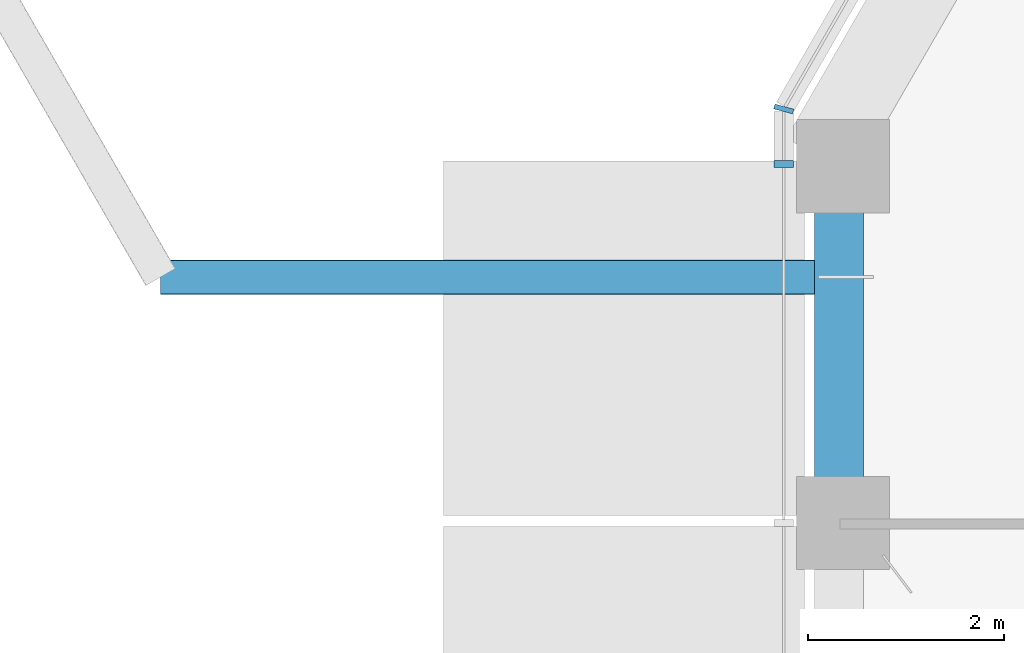
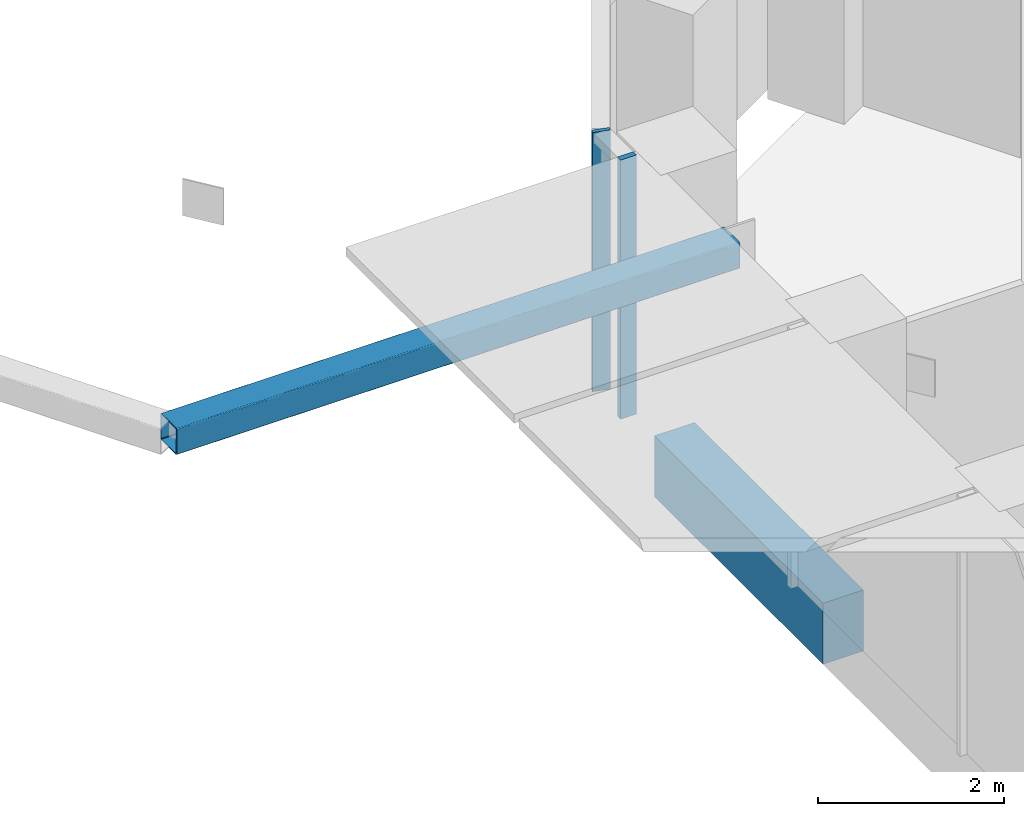
# One storey, part 3 of 21: 3 members, 1 beam, 2 elements without a shape of their own.
"""IFC4 building model written with IfcOpenShell, lengths in metres."""

from ifc_helpers import new_model, si_unit, direction, frame, origin, origin_2d, place, context, subcontext, project, spatial, rectangle, hollow_rectangle, extrude, material, layer, layer_set, material_profile, profile_set, type_object, element, aggregate, save


model = new_model("IFC4")

# Units and contexts
model_context = context("Model", 3, precision=1e-05, world=origin(), true_north=direction((0.0, 1.0)))
body_context = subcontext(model_context, "Body", "Model", "MODEL_VIEW")
ifc_project = project(units=[si_unit("LENGTHUNIT", "METRE"), si_unit("AREAUNIT", "SQUARE_METRE"), si_unit("VOLUMEUNIT", "CUBIC_METRE"), si_unit("PLANEANGLEUNIT", "RADIAN"), si_unit("MASSUNIT", "GRAM", prefix="KILO")], contexts=[model_context])

# Site, building, storey
site_placement = place(None, origin())
site = spatial("IfcSite", under=ifc_project, at=site_placement, CompositionType="ELEMENT")
building_placement = place(site_placement, origin())
building = spatial("IfcBuilding", under=site, at=building_placement, Name="Ayvan Gate Tower", CompositionType="ELEMENT")
storey_placement = place(building_placement, frame((0.0, 0.0, 183.300048828125)))
storey = spatial("IfcBuildingStorey", under=building, at=storey_placement, Name="L49", CompositionType="ELEMENT", Elevation=183.300048828125)

# Member
ifc_material_1 = material(Name="Steel S460NH", Category="steel")
ifc_material_profile_1 = material_profile(ifc_material_1, hollow_rectangle(XDim=0.35009765625, YDim=0.35009765625, WallThickness=0.01416015625, InnerFilletRadius=0.01416015625, OuterFilletRadius=0.021240234375, at=origin_2d()), Name="RHS 350x350x14.2")
ifc_profile_set_1 = profile_set([ifc_material_profile_1], Name="Steel S460NH")
member_type_1 = type_object("IfcMemberType", Name="Sky bar truss brace B4 RHS 350x350x14.2", PredefinedType="BRACE", material=ifc_profile_set_1)
member_1_placement = place(storey_placement, frame((-17.593017578125, 7.963623046875, 2.675048828125), z_axis=(-1.0, 0.0, 0.0), x_axis=(0.0, -1.0, 0.0)))
element("IfcMember", 1, at=member_1_placement, inside=storey, type_object=member_type_1, Name="SBX4-A-BC-1", PredefinedType="CHORD", context=body_context, shape_type="SweptSolid", body=[
    extrude(hollow_rectangle(XDim=0.35009765625, YDim=0.35009765625, WallThickness=0.01416015625, InnerFilletRadius=0.01416015625, OuterFilletRadius=0.021240234375, at=origin_2d()), origin(), (0.0, 0.0, 1.0), 6.98681640625),
])

# Beam
ifc_material_2 = material(Name="Concrete C40/50", Category="concrete")
ifc_material_profile_2 = material_profile(ifc_material_2, rectangle(XDim=0.5, YDim=0.800048828125, at=origin_2d()), Name="RC 500x800")
ifc_profile_set_2 = profile_set([ifc_material_profile_2], Name="Concrete C40/50")
beam_type = type_object("IfcBeamType", Name="Spandrel beam RC 500x800 C40/50", PredefinedType="BEAM", material=ifc_profile_set_2)
beam_placement = place(storey_placement, frame((-17.66552734375, 9.06884765625, -0.75), z_axis=(0.0, -1.0, 0.0), x_axis=(1.0, 0.0, 0.0)))
element("IfcBeam", 2, at=beam_placement, inside=storey, type_object=beam_type, Name="SB-L49-19", PredefinedType="BEAM", context=body_context, shape_type="SweptSolid", body=[
    extrude(rectangle(XDim=0.5, YDim=0.800048828125, at=origin_2d()), origin(), (0.0, 0.0, 1.0), 3.627685546875),
])

# Curtain wall, member
ifc_material_3 = material(Name="Bronze anodised aluminium", Category="aluminium")
ifc_layer_1 = layer(ifc_material_3, 0.199951171875)
ifc_layer_set_1 = layer_set([ifc_layer_1], Name="Bronze anodised aluminium")
curtain_wall_type_1 = type_object("IfcCurtainWallType", Name="Stick curtain wall CW-2", PredefinedType="NOTDEFINED", material=ifc_layer_set_1)
curtain_wall_1_placement = place(storey_placement, origin())
curtain_wall_1 = element("IfcCurtainWall", 3, at=curtain_wall_1_placement, inside=storey, type_object=curtain_wall_type_1, Name="Stick curtain wall CW-2 L49", PredefinedType="NOTDEFINED")
ifc_material_profile_3 = material_profile(ifc_material_3, rectangle(XDim=0.199951171875, YDim=0.070068359375, at=origin_2d()), Name="Stick curtain wall CW-2 mullion 200 x 70")
ifc_profile_set_3 = profile_set([ifc_material_profile_3], Name="Bronze anodised aluminium")
member_type_2 = type_object("IfcMemberType", Name="Stick curtain wall CW-2 mullion 200 x 70", PredefinedType="MULLION", material=ifc_profile_set_3)
member_2_placement = place(storey_placement, frame((-18.227294921875, 9.116943359375, 0.0), z_axis=(0.0, 0.0, 1.0), x_axis=(-1.0, 0.0, 0.0)))
member_2 = element("IfcMember", 4, at=member_2_placement, type_object=member_type_2, Name="CW-2 mullion 1", PredefinedType="MULLION", context=body_context, shape_type="SweptSolid", body=[
    extrude(rectangle(XDim=0.199951171875, YDim=0.070068359375, at=origin_2d()), origin(), (0.0, 0.0, 1.0), 3.39990234375),
])
aggregate(curtain_wall_1, [member_2])

ifc_layer_2 = layer(ifc_material_3, 0.199951171875)
ifc_layer_set_2 = layer_set([ifc_layer_2], Name="Bronze anodised aluminium")
curtain_wall_type_2 = type_object("IfcCurtainWallType", Name="Stick curtain wall CW-6", PredefinedType="NOTDEFINED", material=ifc_layer_set_2)
curtain_wall_2_placement = place(storey_placement, origin())
curtain_wall_2 = element("IfcCurtainWall", 5, at=curtain_wall_2_placement, inside=storey, type_object=curtain_wall_type_2, Name="Stick curtain wall CW-6 L49", PredefinedType="NOTDEFINED")
ifc_material_profile_4 = material_profile(ifc_material_3, rectangle(XDim=0.199951171875, YDim=0.050048828125, at=origin_2d()), Name="Stick curtain wall CW-6 mullion 200 x 50")
ifc_profile_set_4 = profile_set([ifc_material_profile_4], Name="Bronze anodised aluminium")
member_type_3 = type_object("IfcMemberType", Name="Stick curtain wall CW-6 mullion 200 x 50", PredefinedType="MULLION", material=ifc_profile_set_4)
member_3_placement = place(storey_placement, frame((-18.227294921875, 9.677001953125, 0.0), z_axis=(0.0, 0.0, 1.0), x_axis=(-0.965925826289, 0.258819045103, 0.0)))
member_3 = element("IfcMember", 6, at=member_3_placement, type_object=member_type_3, Name="CW-6 mullion 3", PredefinedType="MULLION", context=body_context, shape_type="SweptSolid", body=[
    extrude(rectangle(XDim=0.199951171875, YDim=0.050048828125, at=origin_2d()), origin(), (0.0, 0.0, 1.0), 3.39990234375),
])
aggregate(curtain_wall_2, [member_3])

save(model, "model.ifc")
